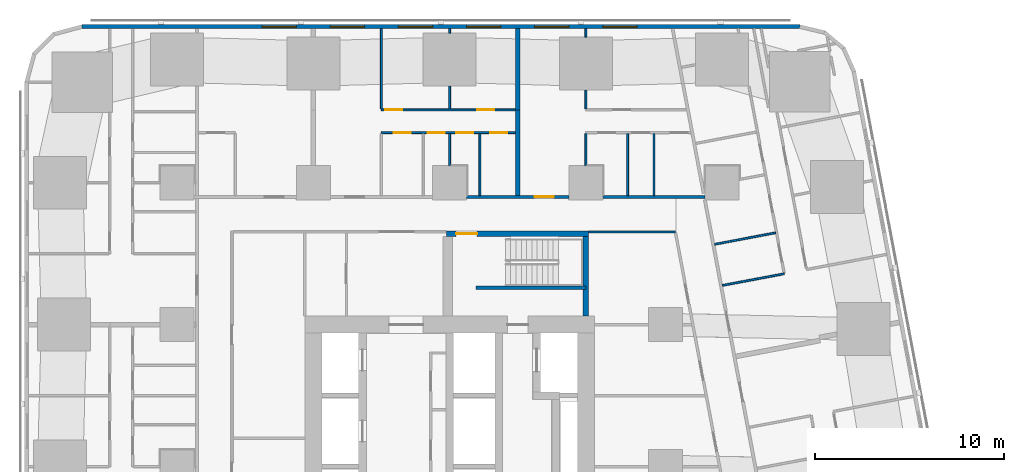
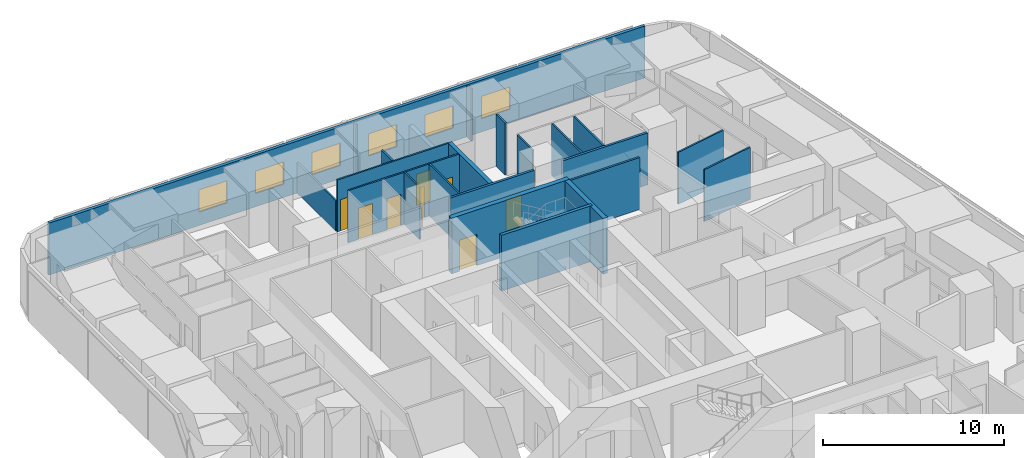
# One storey, part 12 of 18: 23 walls, 8 doors, 6 windows, 14 openings.
"""IFC4 building model written with IfcOpenShell, lengths in metres."""

from ifc_helpers import new_model, si_unit, direction, frame, frame_2d, origin, place, context, subcontext, project, spatial, rectangle, extrude, material, layer, layer_set, type_object, element, fill, save


model = new_model("IFC4")

# Units and contexts
model_context = context("Model", 3, precision=1e-05, world=origin(), true_north=direction((0.0, 1.0)))
body_context = subcontext(model_context, "Body", "Model", "MODEL_VIEW")
ifc_project = project(units=[si_unit("LENGTHUNIT", "METRE"), si_unit("AREAUNIT", "SQUARE_METRE"), si_unit("VOLUMEUNIT", "CUBIC_METRE"), si_unit("PLANEANGLEUNIT", "RADIAN"), si_unit("MASSUNIT", "GRAM", prefix="KILO")], contexts=[model_context])

# Site, building, storey
site_placement = place(None, origin())
site = spatial("IfcSite", under=ifc_project, at=site_placement, CompositionType="ELEMENT")
building_placement = place(site_placement, origin())
building = spatial("IfcBuilding", under=site, at=building_placement, Name="Sheger Commons Tower", CompositionType="ELEMENT")
storey_placement = place(building_placement, frame((0.0, 0.0, 31.25)))
storey = spatial("IfcBuildingStorey", under=building, at=storey_placement, Name="L07", CompositionType="ELEMENT", Elevation=31.25)

# Wall, opening, door
ifc_material_1 = material(Name="Hollow concrete block masonry, skimmed both sides", Category="masonry")
ifc_layer_1 = layer(ifc_material_1, 0.14990234375)
ifc_layer_set_1 = layer_set([ifc_layer_1], Name="CORRIDOR WALL 150")
wall_type_1 = type_object("IfcWallType", Name="CORRIDOR WALL 150", PredefinedType="SOLIDWALL", material=ifc_layer_set_1)
wall_1_placement = place(storey_placement, frame((22.5009765625, 36.75, 0.0), z_axis=(0.0, 0.0, 1.0), x_axis=(1.0, 0.0, 0.0)))
wall_1 = element("IfcWall", 1, at=wall_1_placement, inside=storey, type_object=wall_type_1, Name="Corridor wall L07", PredefinedType="SOLIDWALL", context=body_context, shape_type="SweptSolid", body=[
    extrude(rectangle(XDim=5.39794921875, YDim=0.14990234375, at=frame_2d((2.698974609375, 0.0))), origin(), (0.0, 0.0, 1.0), 3.5),
])
opening_1_placement = place(wall_1_placement, frame((3.59912109375, 0.0, 0.0)))
opening_1 = element("IfcOpeningElement", 2, at=opening_1_placement, cuts=wall_1, Name="Opening D1", PredefinedType="OPENING", context=body_context, shape_type="SweptSolid", body=[
    extrude(rectangle(XDim=1.0, YDim=2.10009765625, at=frame_2d((0.5, 1.050048828125))), frame((0.0, 0.0849609375, 0.0), z_axis=(0.0, -1.0, 0.0), x_axis=(1.0, 0.0, 0.0)), (0.0, 0.0, 1.0), 0.169921875),
])
ifc_material_2 = material(Name="Steel door set, fire rated", Category="steel")
door_type_1 = type_object("IfcDoorType", Name="FLAT ENTRANCE DOOR 1000x2100", OperationType="NOTDEFINED", PredefinedType="DOOR", material=ifc_material_2)
door_1_placement = place(opening_1_placement, origin())
door_1 = element("IfcDoor", 3, at=door_1_placement, inside=storey, type_object=door_type_1, Name="Flat entrance door", OperationType="SINGLE_SWING_RIGHT", OverallHeight=2.10009765625, OverallWidth=1.0, PredefinedType="DOOR", context=body_context, shape_type="SweptSolid", body=[
    extrude(rectangle(XDim=1.0, YDim=2.10009765625, at=frame_2d((0.5, 1.050048828125))), frame((0.0, 0.02490234375, 0.0), z_axis=(0.0, -1.0, 0.0), x_axis=(1.0, 0.0, 0.0)), (0.0, 0.0, 1.0), 0.050048828125),
])
fill(opening_1, door_1)

# Walls
wall_2_placement = place(storey_placement, frame((29.700927734375, 36.75, 0.0), z_axis=(0.0, 0.0, 1.0), x_axis=(1.0, 0.0, 0.0)))
element("IfcWall", 4, at=wall_2_placement, inside=storey, type_object=wall_type_1, Name="Corridor wall L07", PredefinedType="SOLIDWALL", context=body_context, shape_type="SweptSolid", body=[
    extrude(rectangle(XDim=5.399169921875, YDim=0.14990234375, at=frame_2d((2.69970703125, 0.0))), origin(), (0.0, 0.0, 1.0), 3.5),
])
ifc_material_3 = material(Name="Dense concrete block masonry, plastered both sides (separating wall between flats)", Category="masonry")
ifc_layer_2 = layer(ifc_material_3, 0.25)
ifc_layer_set_2 = layer_set([ifc_layer_2], Name="DEMISING WALL 250")
wall_type_2 = type_object("IfcWallType", Name="DEMISING WALL 250", PredefinedType="SOLIDWALL", material=ifc_layer_set_2)
wall_3_placement = place(storey_placement, frame((25.199951171875, 41.35009765625, 0.0), z_axis=(0.0, 0.0, 1.0), x_axis=(0.0, 1.0, 0.0)))
element("IfcWall", 5, at=wall_3_placement, inside=storey, type_object=wall_type_2, Name="Demising wall L07", PredefinedType="SOLIDWALL", context=body_context, shape_type="SweptSolid", body=[
    extrude(rectangle(XDim=4.2998046875, YDim=0.25, at=frame_2d((2.14990234375, 0.0))), origin(), (0.0, 0.0, 1.0), 2.050048828125),
])
wall_4_placement = place(storey_placement, frame((25.199951171875, 36.824951171875, 0.0), z_axis=(0.0, 0.0, 1.0), x_axis=(0.0, 1.0, 0.0)))
element("IfcWall", 6, at=wall_4_placement, inside=storey, type_object=wall_type_2, Name="Demising wall L07", PredefinedType="SOLIDWALL", context=body_context, shape_type="SweptSolid", body=[
    extrude(rectangle(XDim=4.525146484375, YDim=0.25, at=frame_2d((2.2626953125, 0.0))), origin(), (0.0, 0.0, 1.0), 3.5),
])

# Wall, openings, windows
ifc_material_4 = material(Name="Rendered concrete block masonry, dark grey", Category="masonry")
ifc_layer_3 = layer(ifc_material_4, 0.199951171875)
ifc_layer_set_3 = layer_set([ifc_layer_3], Name="FACADE WALL 200")
wall_type_3 = type_object("IfcWallType", Name="FACADE WALL 200", PredefinedType="SOLIDWALL", material=ifc_layer_set_3)
wall_5_placement = place(storey_placement, frame((40.10595703125, 45.75, 0.0), z_axis=(0.0, 0.0, 1.0), x_axis=(-1.0, 0.0, 0.0)))
wall_5 = element("IfcWall", 7, at=wall_5_placement, inside=storey, type_object=wall_type_3, Name="Facade wall L07", PredefinedType="SOLIDWALL", context=body_context, shape_type="SweptSolid", body=[
    extrude(rectangle(XDim=37.94287109375, YDim=0.199951171875, at=frame_2d((18.971435546875, 0.0))), origin(), (0.0, 0.0, 1.0), 3.5),
])
opening_2_placement = place(wall_5_placement, frame((8.60595703125, 0.0, 0.89990234375)))
opening_2 = element("IfcOpeningElement", 8, at=opening_2_placement, cuts=wall_5, Name="Opening W2", PredefinedType="OPENING", context=body_context, shape_type="SweptSolid", body=[
    extrude(rectangle(XDim=1.800048828125, YDim=1.5, at=frame_2d((0.89990234375, 0.75))), frame((0.0, 0.10986328125, 0.0), z_axis=(0.0, -1.0, 0.0), x_axis=(1.0, 0.0, 0.0)), (0.0, 0.0, 1.0), 0.219970703125),
])
opening_3_placement = place(wall_5_placement, frame((12.2060546875, 0.0, 0.89990234375)))
opening_3 = element("IfcOpeningElement", 9, at=opening_3_placement, cuts=wall_5, Name="Opening W2", PredefinedType="OPENING", context=body_context, shape_type="SweptSolid", body=[
    extrude(rectangle(XDim=1.800048828125, YDim=1.5, at=frame_2d((0.89990234375, 0.75))), frame((0.0, 0.10986328125, 0.0), z_axis=(0.0, -1.0, 0.0), x_axis=(1.0, 0.0, 0.0)), (0.0, 0.0, 1.0), 0.219970703125),
])
opening_4_placement = place(wall_5_placement, frame((15.805908203125, 0.0, 0.89990234375)))
opening_4 = element("IfcOpeningElement", 10, at=opening_4_placement, cuts=wall_5, Name="Opening W2", PredefinedType="OPENING", context=body_context, shape_type="SweptSolid", body=[
    extrude(rectangle(XDim=1.800048828125, YDim=1.5, at=frame_2d((0.89990234375, 0.75))), frame((0.0, 0.10986328125, 0.0), z_axis=(0.0, -1.0, 0.0), x_axis=(1.0, 0.0, 0.0)), (0.0, 0.0, 1.0), 0.219970703125),
])
opening_5_placement = place(wall_5_placement, frame((19.406005859375, 0.0, 0.89990234375)))
opening_5 = element("IfcOpeningElement", 11, at=opening_5_placement, cuts=wall_5, Name="Opening W2", PredefinedType="OPENING", context=body_context, shape_type="SweptSolid", body=[
    extrude(rectangle(XDim=1.800048828125, YDim=1.5, at=frame_2d((0.89990234375, 0.75))), frame((0.0, 0.10986328125, 0.0), z_axis=(0.0, -1.0, 0.0), x_axis=(1.0, 0.0, 0.0)), (0.0, 0.0, 1.0), 0.219970703125),
])
opening_6_placement = place(wall_5_placement, frame((23.006103515625, 0.0, 0.89990234375)))
opening_6 = element("IfcOpeningElement", 12, at=opening_6_placement, cuts=wall_5, Name="Opening W2", PredefinedType="OPENING", context=body_context, shape_type="SweptSolid", body=[
    extrude(rectangle(XDim=1.800048828125, YDim=1.5, at=frame_2d((0.89990234375, 0.75))), frame((0.0, 0.10986328125, 0.0), z_axis=(0.0, -1.0, 0.0), x_axis=(1.0, 0.0, 0.0)), (0.0, 0.0, 1.0), 0.219970703125),
])
opening_7_placement = place(wall_5_placement, frame((26.60595703125, 0.0, 0.89990234375)))
opening_7 = element("IfcOpeningElement", 13, at=opening_7_placement, cuts=wall_5, Name="Opening W2", PredefinedType="OPENING", context=body_context, shape_type="SweptSolid", body=[
    extrude(rectangle(XDim=1.800048828125, YDim=1.5, at=frame_2d((0.89990234375, 0.75))), frame((0.0, 0.10986328125, 0.0), z_axis=(0.0, -1.0, 0.0), x_axis=(1.0, 0.0, 0.0)), (0.0, 0.0, 1.0), 0.219970703125),
])
ifc_material_5 = material(Name="Black aluminium frame, dark tinted double glazing", Category="aluminium")
window_type = type_object("IfcWindowType", Name="WINDOW W2 1800x1500", PartitioningType="SINGLE_PANEL", PredefinedType="WINDOW", material=ifc_material_5)
window_1_placement = place(opening_2_placement, origin())
window_1 = element("IfcWindow", 14, at=window_1_placement, inside=storey, type_object=window_type, Name="Window W2 1800X1500", OverallHeight=1.5, OverallWidth=1.800048828125, PartitioningType="SINGLE_PANEL", PredefinedType="WINDOW", context=body_context, shape_type="SweptSolid", body=[
    extrude(rectangle(XDim=1.800048828125, YDim=1.5, at=frame_2d((0.89990234375, 0.75))), frame((0.0, 0.030029296875, 0.0), z_axis=(0.0, -1.0, 0.0), x_axis=(1.0, 0.0, 0.0)), (0.0, 0.0, 1.0), 0.06005859375),
])
fill(opening_2, window_1)
window_2_placement = place(opening_3_placement, origin())
window_2 = element("IfcWindow", 15, at=window_2_placement, inside=storey, type_object=window_type, Name="Window W2 1800X1500", OverallHeight=1.5, OverallWidth=1.800048828125, PartitioningType="SINGLE_PANEL", PredefinedType="WINDOW", context=body_context, shape_type="SweptSolid", body=[
    extrude(rectangle(XDim=1.800048828125, YDim=1.5, at=frame_2d((0.89990234375, 0.75))), frame((0.0, 0.030029296875, 0.0), z_axis=(0.0, -1.0, 0.0), x_axis=(1.0, 0.0, 0.0)), (0.0, 0.0, 1.0), 0.06005859375),
])
fill(opening_3, window_2)
window_3_placement = place(opening_4_placement, origin())
window_3 = element("IfcWindow", 16, at=window_3_placement, inside=storey, type_object=window_type, Name="Window W2 1800X1500", OverallHeight=1.5, OverallWidth=1.800048828125, PartitioningType="SINGLE_PANEL", PredefinedType="WINDOW", context=body_context, shape_type="SweptSolid", body=[
    extrude(rectangle(XDim=1.800048828125, YDim=1.5, at=frame_2d((0.89990234375, 0.75))), frame((0.0, 0.030029296875, 0.0), z_axis=(0.0, -1.0, 0.0), x_axis=(1.0, 0.0, 0.0)), (0.0, 0.0, 1.0), 0.06005859375),
])
fill(opening_4, window_3)
window_4_placement = place(opening_5_placement, origin())
window_4 = element("IfcWindow", 17, at=window_4_placement, inside=storey, type_object=window_type, Name="Window W2 1800X1500", OverallHeight=1.5, OverallWidth=1.800048828125, PartitioningType="SINGLE_PANEL", PredefinedType="WINDOW", context=body_context, shape_type="SweptSolid", body=[
    extrude(rectangle(XDim=1.800048828125, YDim=1.5, at=frame_2d((0.89990234375, 0.75))), frame((0.0, 0.030029296875, 0.0), z_axis=(0.0, -1.0, 0.0), x_axis=(1.0, 0.0, 0.0)), (0.0, 0.0, 1.0), 0.06005859375),
])
fill(opening_5, window_4)
window_5_placement = place(opening_6_placement, origin())
window_5 = element("IfcWindow", 18, at=window_5_placement, inside=storey, type_object=window_type, Name="Window W2 1800X1500", OverallHeight=1.5, OverallWidth=1.800048828125, PartitioningType="SINGLE_PANEL", PredefinedType="WINDOW", context=body_context, shape_type="SweptSolid", body=[
    extrude(rectangle(XDim=1.800048828125, YDim=1.5, at=frame_2d((0.89990234375, 0.75))), frame((0.0, 0.030029296875, 0.0), z_axis=(0.0, -1.0, 0.0), x_axis=(1.0, 0.0, 0.0)), (0.0, 0.0, 1.0), 0.06005859375),
])
fill(opening_6, window_5)
window_6_placement = place(opening_7_placement, origin())
window_6 = element("IfcWindow", 19, at=window_6_placement, inside=storey, type_object=window_type, Name="Window W2 1800X1500", OverallHeight=1.5, OverallWidth=1.800048828125, PartitioningType="SINGLE_PANEL", PredefinedType="WINDOW", context=body_context, shape_type="SweptSolid", body=[
    extrude(rectangle(XDim=1.800048828125, YDim=1.5, at=frame_2d((0.89990234375, 0.75))), frame((0.0, 0.030029296875, 0.0), z_axis=(0.0, -1.0, 0.0), x_axis=(1.0, 0.0, 0.0)), (0.0, 0.0, 1.0), 0.06005859375),
])
fill(opening_7, window_6)

# Walls
ifc_material_6 = material(Name="Gypsum board on steel studs", Category="steel")
ifc_layer_4 = layer(ifc_material_6, 0.10009765625)
ifc_layer_set_4 = layer_set([ifc_layer_4], Name="PARTITION 100")
wall_type_4 = type_object("IfcWallType", Name="PARTITION 100", PredefinedType="PARTITIONING", material=ifc_layer_set_4)
wall_6_placement = place(storey_placement, frame((39.2890625, 32.69189453125, 0.0), z_axis=(0.0, 0.0, 1.0), x_axis=(-0.982633623707, -0.185556356831, 0.0)))
element("IfcWall", 20, at=wall_6_placement, inside=storey, type_object=wall_type_4, Name="Partition L07", PredefinedType="PARTITIONING", context=body_context, shape_type="SweptSolid", body=[
    extrude(rectangle(XDim=3.324951171875, YDim=0.10009765625, at=frame_2d((1.66259765625, 0.0))), origin(), (0.0, 0.0, 1.0), 3.5),
])
wall_7_placement = place(storey_placement, frame((38.8291015625, 34.85498046875, 0.0), z_axis=(0.0, 0.0, 1.0), x_axis=(-0.982610347627, -0.185679575441, 0.0)))
element("IfcWall", 21, at=wall_7_placement, inside=storey, type_object=wall_type_4, Name="Partition L07", PredefinedType="PARTITIONING", context=body_context, shape_type="SweptSolid", body=[
    extrude(rectangle(XDim=3.27392578125, YDim=0.10009765625, at=frame_2d((1.636962890625, 0.0))), origin(), (0.0, 0.0, 1.0), 3.5),
])

# Wall, openings, doors
wall_8_placement = place(storey_placement, frame((18.0, 41.35009765625, 0.0), z_axis=(0.0, 0.0, 1.0), x_axis=(1.0, 0.0, 0.0)))
wall_8 = element("IfcWall", 22, at=wall_8_placement, inside=storey, type_object=wall_type_4, Name="Partition L07", PredefinedType="PARTITIONING", context=body_context, shape_type="SweptSolid", body=[
    extrude(rectangle(XDim=7.074951171875, YDim=0.10009765625, at=frame_2d((3.53759765625, 0.0))), origin(), (0.0, 0.0, 1.0), 3.5),
])
opening_8_placement = place(wall_8_placement, frame((0.199951171875, 0.0, 0.0)))
opening_8 = element("IfcOpeningElement", 23, at=opening_8_placement, cuts=wall_8, Name="Opening D2", PredefinedType="OPENING", context=body_context, shape_type="SweptSolid", body=[
    extrude(rectangle(XDim=0.89990234375, YDim=2.10009765625, at=frame_2d((0.449951171875, 1.050048828125))), frame((0.0, 0.06005859375, 0.0), z_axis=(0.0, -1.0, 0.0), x_axis=(1.0, 0.0, 0.0)), (0.0, 0.0, 1.0), 0.1201171875),
])
opening_9_placement = place(wall_8_placement, frame((5.050048828125, 0.0, 0.0)))
opening_9 = element("IfcOpeningElement", 24, at=opening_9_placement, cuts=wall_8, Name="Opening D2", PredefinedType="OPENING", context=body_context, shape_type="SweptSolid", body=[
    extrude(rectangle(XDim=0.89990234375, YDim=2.10009765625, at=frame_2d((0.449951171875, 1.050048828125))), frame((0.0, 0.06005859375, 0.0), z_axis=(0.0, -1.0, 0.0), x_axis=(1.0, 0.0, 0.0)), (0.0, 0.0, 1.0), 0.1201171875),
])
ifc_material_7 = material(Name="Timber door set", Category="wood")
door_type_2 = type_object("IfcDoorType", Name="INTERNAL DOOR 900x2100", OperationType="NOTDEFINED", PredefinedType="DOOR", material=ifc_material_7)
door_2_placement = place(opening_8_placement, origin())
door_2 = element("IfcDoor", 25, at=door_2_placement, inside=storey, type_object=door_type_2, Name="Main bedroom door", OperationType="SINGLE_SWING_LEFT", OverallHeight=2.10009765625, OverallWidth=0.89990234375, PredefinedType="DOOR", context=body_context, shape_type="SweptSolid", body=[
    extrude(rectangle(XDim=0.89990234375, YDim=2.10009765625, at=frame_2d((0.449951171875, 1.050048828125))), frame((0.0, 0.02490234375, 0.0), z_axis=(0.0, -1.0, 0.0), x_axis=(1.0, 0.0, 0.0)), (0.0, 0.0, 1.0), 0.050048828125),
])
fill(opening_8, door_2)
door_3_placement = place(opening_9_placement, origin())
door_3 = element("IfcDoor", 26, at=door_3_placement, inside=storey, type_object=door_type_2, Name="Bedroom 2 door", OperationType="SINGLE_SWING_RIGHT", OverallHeight=2.10009765625, OverallWidth=0.89990234375, PredefinedType="DOOR", context=body_context, shape_type="SweptSolid", body=[
    extrude(rectangle(XDim=0.89990234375, YDim=2.10009765625, at=frame_2d((0.449951171875, 1.050048828125))), frame((0.0, 0.02490234375, 0.0), z_axis=(0.0, -1.0, 0.0), x_axis=(1.0, 0.0, 0.0)), (0.0, 0.0, 1.0), 0.050048828125),
])
fill(opening_9, door_3)

wall_9_placement = place(storey_placement, frame((18.0, 40.14990234375, 0.0), z_axis=(0.0, 0.0, 1.0), x_axis=(1.0, 0.0, 0.0)))
wall_9 = element("IfcWall", 27, at=wall_9_placement, inside=storey, type_object=wall_type_4, Name="Partition L07", PredefinedType="PARTITIONING", context=body_context, shape_type="SweptSolid", body=[
    extrude(rectangle(XDim=7.074951171875, YDim=0.10009765625, at=frame_2d((3.53759765625, 0.0))), origin(), (0.0, 0.0, 1.0), 3.5),
])
opening_10_placement = place(wall_9_placement, frame((0.655029296875, 0.0, 0.0)))
opening_10 = element("IfcOpeningElement", 28, at=opening_10_placement, cuts=wall_9, Name="Opening D2", PredefinedType="OPENING", context=body_context, shape_type="SweptSolid", body=[
    extrude(rectangle(XDim=0.89990234375, YDim=2.10009765625, at=frame_2d((0.449951171875, 1.050048828125))), frame((0.0, 0.06005859375, 0.0), z_axis=(0.0, -1.0, 0.0), x_axis=(1.0, 0.0, 0.0)), (0.0, 0.0, 1.0), 0.1201171875),
])
opening_11_placement = place(wall_9_placement, frame((3.949951171875, 0.0, 0.0)))
opening_11 = element("IfcOpeningElement", 29, at=opening_11_placement, cuts=wall_9, Name="Opening D2", PredefinedType="OPENING", context=body_context, shape_type="SweptSolid", body=[
    extrude(rectangle(XDim=0.89990234375, YDim=2.10009765625, at=frame_2d((0.449951171875, 1.050048828125))), frame((0.0, 0.06005859375, 0.0), z_axis=(0.0, -1.0, 0.0), x_axis=(1.0, 0.0, 0.0)), (0.0, 0.0, 1.0), 0.1201171875),
])
opening_12_placement = place(wall_9_placement, frame((2.455078125, 0.0, 0.0)))
opening_12 = element("IfcOpeningElement", 30, at=opening_12_placement, cuts=wall_9, Name="Opening D2", PredefinedType="OPENING", context=body_context, shape_type="SweptSolid", body=[
    extrude(rectangle(XDim=0.89990234375, YDim=2.10009765625, at=frame_2d((0.449951171875, 1.050048828125))), frame((0.0, 0.06005859375, 0.0), z_axis=(0.0, -1.0, 0.0), x_axis=(1.0, 0.0, 0.0)), (0.0, 0.0, 1.0), 0.1201171875),
])
opening_13_placement = place(wall_9_placement, frame((5.75, 0.0, 0.0)))
opening_13 = element("IfcOpeningElement", 31, at=opening_13_placement, cuts=wall_9, Name="Opening D2", PredefinedType="OPENING", context=body_context, shape_type="SweptSolid", body=[
    extrude(rectangle(XDim=0.89990234375, YDim=2.10009765625, at=frame_2d((0.449951171875, 1.050048828125))), frame((0.0, 0.06005859375, 0.0), z_axis=(0.0, -1.0, 0.0), x_axis=(1.0, 0.0, 0.0)), (0.0, 0.0, 1.0), 0.1201171875),
])
door_4_placement = place(opening_10_placement, origin())
door_4 = element("IfcDoor", 32, at=door_4_placement, inside=storey, type_object=door_type_2, Name="Bathroom door", OperationType="SINGLE_SWING_RIGHT", OverallHeight=2.10009765625, OverallWidth=0.89990234375, PredefinedType="DOOR", context=body_context, shape_type="SweptSolid", body=[
    extrude(rectangle(XDim=0.89990234375, YDim=2.10009765625, at=frame_2d((0.449951171875, 1.050048828125))), frame((0.0, 0.02490234375, 0.0), z_axis=(0.0, -1.0, 0.0), x_axis=(1.0, 0.0, 0.0)), (0.0, 0.0, 1.0), 0.050048828125),
])
fill(opening_10, door_4)
door_5_placement = place(opening_11_placement, origin())
door_5 = element("IfcDoor", 33, at=door_5_placement, inside=storey, type_object=door_type_2, Name="Shower room door", OperationType="SINGLE_SWING_LEFT", OverallHeight=2.10009765625, OverallWidth=0.89990234375, PredefinedType="DOOR", context=body_context, shape_type="SweptSolid", body=[
    extrude(rectangle(XDim=0.89990234375, YDim=2.10009765625, at=frame_2d((0.449951171875, 1.050048828125))), frame((0.0, 0.02490234375, 0.0), z_axis=(0.0, -1.0, 0.0), x_axis=(1.0, 0.0, 0.0)), (0.0, 0.0, 1.0), 0.050048828125),
])
fill(opening_11, door_5)
door_6_placement = place(opening_12_placement, origin())
door_6 = element("IfcDoor", 34, at=door_6_placement, inside=storey, type_object=door_type_2, Name="Store door", OperationType="SINGLE_SWING_LEFT", OverallHeight=2.10009765625, OverallWidth=0.89990234375, PredefinedType="DOOR", context=body_context, shape_type="SweptSolid", body=[
    extrude(rectangle(XDim=0.89990234375, YDim=2.10009765625, at=frame_2d((0.449951171875, 1.050048828125))), frame((0.0, 0.02490234375, 0.0), z_axis=(0.0, -1.0, 0.0), x_axis=(1.0, 0.0, 0.0)), (0.0, 0.0, 1.0), 0.050048828125),
])
fill(opening_12, door_6)
door_7_placement = place(opening_13_placement, origin())
door_7 = element("IfcDoor", 35, at=door_7_placement, inside=storey, type_object=door_type_2, Name="Store door", OperationType="SINGLE_SWING_LEFT", OverallHeight=2.10009765625, OverallWidth=0.89990234375, PredefinedType="DOOR", context=body_context, shape_type="SweptSolid", body=[
    extrude(rectangle(XDim=0.89990234375, YDim=2.10009765625, at=frame_2d((0.449951171875, 1.050048828125))), frame((0.0, 0.02490234375, 0.0), z_axis=(0.0, -1.0, 0.0), x_axis=(1.0, 0.0, 0.0)), (0.0, 0.0, 1.0), 0.050048828125),
])
fill(opening_13, door_7)

# Walls
wall_10_placement = place(storey_placement, frame((18.0, 41.39990234375, 0.0), z_axis=(0.0, 0.0, 1.0), x_axis=(0.0, 1.0, 0.0)))
element("IfcWall", 36, at=wall_10_placement, inside=storey, type_object=wall_type_4, Name="Partition L07", PredefinedType="PARTITIONING", context=body_context, shape_type="SweptSolid", body=[
    extrude(rectangle(XDim=4.25, YDim=0.10009765625, at=frame_2d((2.125, 0.0))), origin(), (0.0, 0.0, 1.0), 2.050048828125),
])
wall_11_placement = place(storey_placement, frame((21.60009765625, 41.39990234375, 0.0), z_axis=(0.0, 0.0, 1.0), x_axis=(0.0, 1.0, 0.0)))
element("IfcWall", 37, at=wall_11_placement, inside=storey, type_object=wall_type_4, Name="Partition L07", PredefinedType="PARTITIONING", context=body_context, shape_type="SweptSolid", body=[
    extrude(rectangle(XDim=1.19921875, YDim=0.10009765625, at=frame_2d((0.599609375, 0.0))), origin(), (0.0, 0.0, 1.0), 3.5),
])
wall_12_placement = place(storey_placement, frame((21.60009765625, 45.40087890625, 0.0), z_axis=(0.0, 0.0, 1.0), x_axis=(0.0, 1.0, 0.0)))
element("IfcWall", 38, at=wall_12_placement, inside=storey, type_object=wall_type_4, Name="Partition L07", PredefinedType="PARTITIONING", context=body_context, shape_type="SweptSolid", body=[
    extrude(rectangle(XDim=0.2490234375, YDim=0.10009765625, at=frame_2d((0.12451171875, 0.0))), origin(), (0.0, 0.0, 1.0), 3.5),
])
wall_13_placement = place(storey_placement, frame((21.60009765625, 38.40087890625, 0.0), z_axis=(0.0, 0.0, 1.0), x_axis=(0.0, 1.0, 0.0)))
element("IfcWall", 39, at=wall_13_placement, inside=storey, type_object=wall_type_4, Name="Partition L07", PredefinedType="PARTITIONING", context=body_context, shape_type="SweptSolid", body=[
    extrude(rectangle(XDim=1.69921875, YDim=0.10009765625, at=frame_2d((0.849609375, 0.0))), origin(), (0.0, 0.0, 1.0), 3.5),
])
wall_14_placement = place(storey_placement, frame((23.199951171875, 36.824951171875, 0.0), z_axis=(0.0, 0.0, 1.0), x_axis=(0.0, 1.0, 0.0)))
element("IfcWall", 40, at=wall_14_placement, inside=storey, type_object=wall_type_4, Name="Partition L07", PredefinedType="PARTITIONING", context=body_context, shape_type="SweptSolid", body=[
    extrude(rectangle(XDim=3.275146484375, YDim=0.10009765625, at=frame_2d((1.6376953125, 0.0))), origin(), (0.0, 0.0, 1.0), 3.5),
])
wall_15_placement = place(storey_placement, frame((28.800048828125, 41.39990234375, 0.0), z_axis=(0.0, 0.0, 1.0), x_axis=(0.0, 1.0, 0.0)))
element("IfcWall", 41, at=wall_15_placement, inside=storey, type_object=wall_type_4, Name="Partition L07", PredefinedType="PARTITIONING", context=body_context, shape_type="SweptSolid", body=[
    extrude(rectangle(XDim=0.9990234375, YDim=0.10009765625, at=frame_2d((0.49951171875, 0.0))), origin(), (0.0, 0.0, 1.0), 3.5),
])
wall_16_placement = place(storey_placement, frame((28.800048828125, 45.200927734375, 0.0), z_axis=(0.0, 0.0, 1.0), x_axis=(0.0, 1.0, 0.0)))
element("IfcWall", 42, at=wall_16_placement, inside=storey, type_object=wall_type_4, Name="Partition L07", PredefinedType="PARTITIONING", context=body_context, shape_type="SweptSolid", body=[
    extrude(rectangle(XDim=0.448974609375, YDim=0.10009765625, at=frame_2d((0.224609375, 0.0))), origin(), (0.0, 0.0, 1.0), 3.5),
])
wall_17_placement = place(storey_placement, frame((28.800048828125, 38.40087890625, 0.0), z_axis=(0.0, 0.0, 1.0), x_axis=(0.0, 1.0, 0.0)))
element("IfcWall", 43, at=wall_17_placement, inside=storey, type_object=wall_type_4, Name="Partition L07", PredefinedType="PARTITIONING", context=body_context, shape_type="SweptSolid", body=[
    extrude(rectangle(XDim=1.69921875, YDim=0.10009765625, at=frame_2d((0.849609375, 0.0))), origin(), (0.0, 0.0, 1.0), 3.5),
])
for number, where, z_axis, x_axis, name in (
    (44, (32.39990234375, 36.824951171875, 0.0), (0.0, 0.0, 1.0), (0.0, 1.0, 0.0), "Partition L07"),
    (45, (31.010009765625, 36.824951171875, 0.0), (0.0, 0.0, 1.0), (0.0, 1.0, 0.0), "Partition L07"),
):
    element("IfcWall", number, at=place(storey_placement, frame(where, z_axis=z_axis, x_axis=x_axis)), inside=storey, type_object=wall_type_4, Name=name, PredefinedType="PARTITIONING", context=body_context, shape_type="SweptSolid", body=[
        extrude(rectangle(XDim=3.275146484375, YDim=0.10009765625, at=frame_2d((1.6376953125, 0.0))), origin(), (0.0, 0.0, 1.0), 3.5),
    ])
ifc_material_8 = material(Name="Gypsum board on steel studs, two layers each side, fire rated", Category="steel")
ifc_layer_5 = layer(ifc_material_8, 0.125)
ifc_layer_set_5 = layer_set([ifc_layer_5], Name="SERVICE WALL 125")
wall_type_5 = type_object("IfcWallType", Name="SERVICE WALL 125", PredefinedType="PARTITIONING", material=ifc_layer_set_5)
wall_18_placement = place(storey_placement, frame((28.949951171875, 34.89990234375, 0.0), z_axis=(0.0, 0.0, 1.0), x_axis=(1.0, 0.0, 0.0)))
element("IfcWall", 46, at=wall_18_placement, inside=storey, type_object=wall_type_5, Name="Service room wall L07", PredefinedType="PARTITIONING", context=body_context, shape_type="SweptSolid", body=[
    extrude(rectangle(XDim=4.588134765625, YDim=0.125, at=frame_2d((2.2939453125, 0.0))), origin(), (0.0, 0.0, 1.0), 3.5),
])

# Wall, opening, door
ifc_material_9 = material(Name="Concrete C50/60", Category="concrete")
ifc_layer_6 = layer(ifc_material_9, 0.300048828125)
ifc_layer_set_6 = layer_set([ifc_layer_6], Name="STAIR CORE WALL 300")
wall_type_6 = type_object("IfcWallType", Name="STAIR CORE WALL 300", PredefinedType="SHEAR", material=ifc_layer_set_6)
wall_19_placement = place(storey_placement, frame((21.449951171875, 34.800048828125, 0.0), z_axis=(0.0, 0.0, 1.0), x_axis=(1.0, 0.0, 0.0)))
wall_19 = element("IfcWall", 47, at=wall_19_placement, inside=storey, type_object=wall_type_6, Name="STW-L07-S2N", PredefinedType="SHEAR", context=body_context, shape_type="SweptSolid", body=[
    extrude(rectangle(XDim=7.5, YDim=0.300048828125, at=frame_2d((3.75, 0.0))), origin(), (0.0, 0.0, 1.0), 3.75),
])
opening_14_placement = place(wall_19_placement, frame((0.5, 0.0, 0.0)))
opening_14 = element("IfcOpeningElement", 48, at=opening_14_placement, cuts=wall_19, Name="Opening D5", PredefinedType="OPENING", context=body_context, shape_type="SweptSolid", body=[
    extrude(rectangle(XDim=1.10009765625, YDim=2.10009765625, at=frame_2d((0.550048828125, 1.050048828125))), frame((0.0, 0.159912109375, 0.0), z_axis=(0.0, -1.0, 0.0), x_axis=(1.0, 0.0, 0.0)), (0.0, 0.0, 1.0), 0.320068359375),
])
ifc_material_10 = material(Name="Steel door set, fire rated", Category="steel")
door_type_3 = type_object("IfcDoorType", Name="STAIR DOOR 1100x2100", OperationType="NOTDEFINED", PredefinedType="DOOR", material=ifc_material_10)
door_8_placement = place(opening_14_placement, origin())
door_8 = element("IfcDoor", 49, at=door_8_placement, inside=storey, type_object=door_type_3, Name="Stair S2 door", OperationType="SINGLE_SWING_RIGHT", OverallHeight=2.10009765625, OverallWidth=1.10009765625, PredefinedType="DOOR", context=body_context, shape_type="SweptSolid", body=[
    extrude(rectangle(XDim=1.10009765625, YDim=2.10009765625, at=frame_2d((0.550048828125, 1.050048828125))), frame((0.0, 0.02490234375, 0.0), z_axis=(0.0, -1.0, 0.0), x_axis=(1.0, 0.0, 0.0)), (0.0, 0.0, 1.0), 0.050048828125),
])
fill(opening_14, door_8)

# Walls
wall_20_placement = place(storey_placement, frame((28.800048828125, 30.449951171875, 0.0), z_axis=(0.0, 0.0, 1.0), x_axis=(0.0, 1.0, 0.0)))
element("IfcWall", 50, at=wall_20_placement, inside=storey, type_object=wall_type_6, Name="STW-L07-S2E", PredefinedType="SHEAR", context=body_context, shape_type="SweptSolid", body=[
    extrude(rectangle(XDim=4.199951171875, YDim=0.300048828125, at=frame_2d((2.10009765625, 0.0))), origin(), (0.0, 0.0, 1.0), 3.75),
])
ifc_material_11 = material(Name="Concrete C50/60", Category="concrete")
ifc_layer_7 = layer(ifc_material_11, 0.199951171875)
ifc_layer_set_7 = layer_set([ifc_layer_7], Name="STAIR SPINE WALL 200")
wall_type_7 = type_object("IfcWallType", Name="STAIR SPINE WALL 200", PredefinedType="SHEAR", material=ifc_layer_set_7)
wall_21_placement = place(storey_placement, frame((23.0, 31.949951171875, 0.0), z_axis=(0.0, 0.0, 1.0), x_axis=(1.0, 0.0, 0.0)))
element("IfcWall", 51, at=wall_21_placement, inside=storey, type_object=wall_type_7, Name="Stair spine wall L07", PredefinedType="SHEAR", context=body_context, shape_type="SweptSolid", body=[
    extrude(rectangle(XDim=5.800048828125, YDim=0.199951171875, at=frame_2d((2.89990234375, 0.0))), origin(), (0.0, 0.0, 1.0), 3.75),
])

save(model, "model.ifc")
